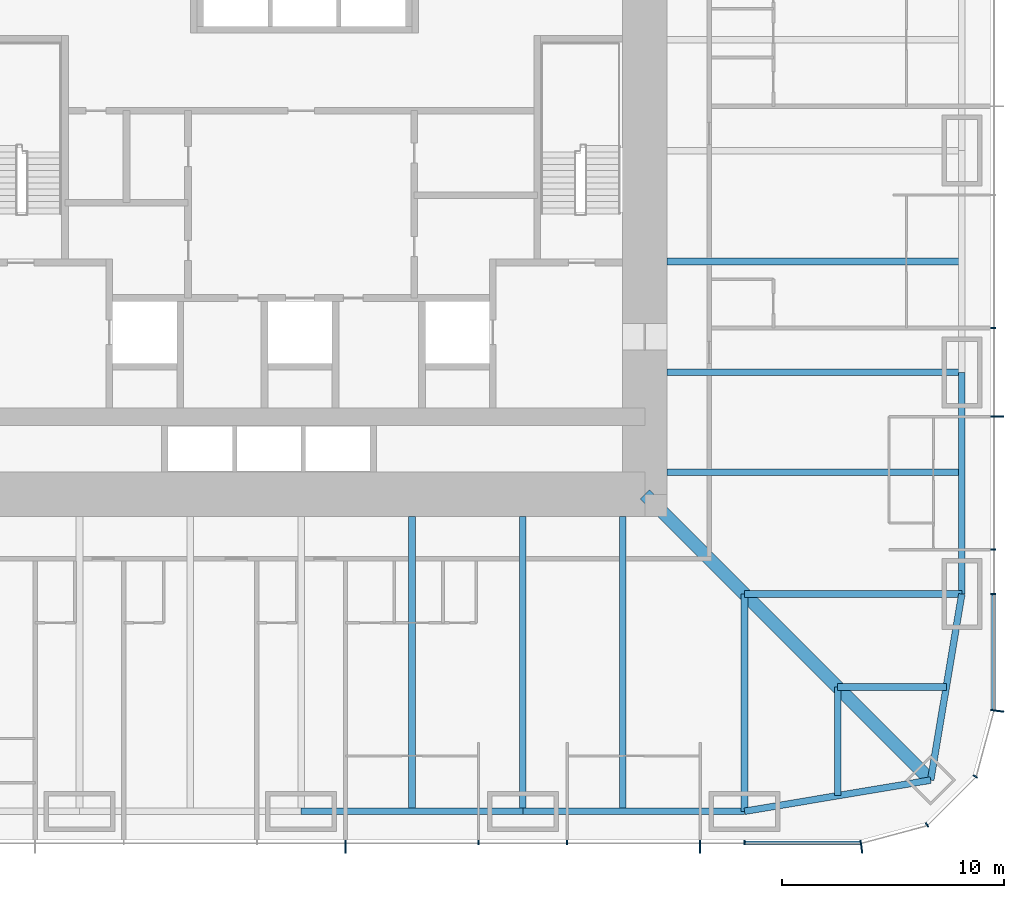
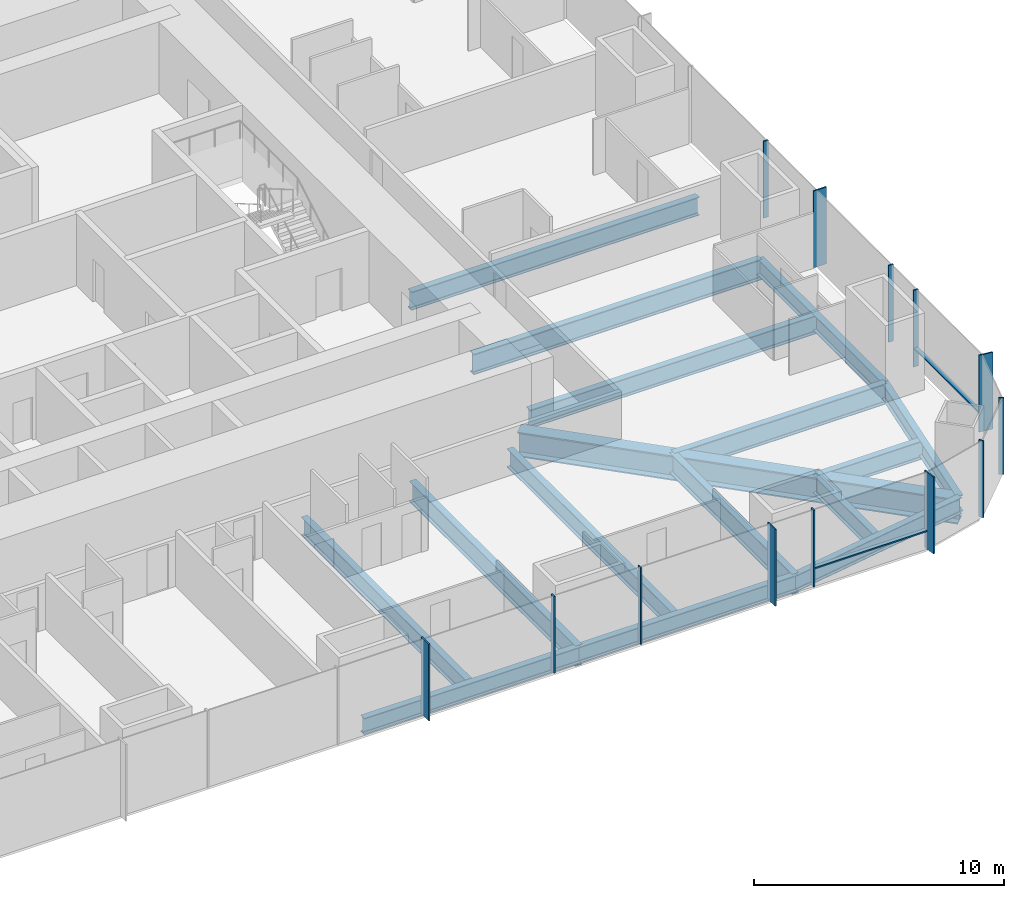
# One storey, part 4 of 17: 16 beams, 15 members, 3 elements without a shape of their own.
"""IFC4 building model written with IfcOpenShell, lengths in metres."""

from ifc_helpers import new_model, si_unit, direction, frame, origin, origin_2d, place, context, subcontext, project, spatial, rectangle, i_section, extrude, material, material_profile, profile_set, type_object, element, aggregate, save


model = new_model("IFC4")

# Units and contexts
model_context = context("Model", 3, precision=1e-05, world=origin(), true_north=direction((0.0, 1.0)))
body_context = subcontext(model_context, "Body", "Model", "MODEL_VIEW")
ifc_project = project(units=[si_unit("LENGTHUNIT", "METRE"), si_unit("AREAUNIT", "SQUARE_METRE"), si_unit("VOLUMEUNIT", "CUBIC_METRE"), si_unit("PLANEANGLEUNIT", "RADIAN"), si_unit("MASSUNIT", "GRAM", prefix="KILO")], contexts=[model_context])

# Site, building, storey
site_placement = place(None, origin())
site = spatial("IfcSite", under=ifc_project, at=site_placement, CompositionType="ELEMENT")
building_placement = place(site_placement, origin())
building = spatial("IfcBuilding", under=site, at=building_placement, Name="Khuree Lantern Residences", CompositionType="ELEMENT")
storey_placement = place(building_placement, frame((0.0, 0.0, 73.5)))
storey = spatial("IfcBuildingStorey", under=building, at=storey_placement, Name="L18", CompositionType="ELEMENT", Elevation=73.5)

# Beams
ifc_material_1 = material(Name="Steel S355", Category="steel")
ifc_material_profile_1 = material_profile(ifc_material_1, i_section(OverallWidth=0.300048828125, OverallDepth=0.889892578125, WebThickness=0.01611328125, FlangeThickness=0.030029296875, FilletRadius=0.030029296875, at=origin_2d()), Name="HE 900 A")
ifc_profile_set_1 = profile_set([ifc_material_profile_1], Name="Steel S355")
beam_type_1 = type_object("IfcBeamType", Name="B-14 SECONDARY BEAM HE 900 A", PredefinedType="BEAM", material=ifc_profile_set_1)
for number, where, z_axis, x_axis, name in (
    (1, (29.800048828125, -5.0, -0.695068359375), (-1.0, 0.0, 0.0), (0.0, -1.0, 0.0), "Secondary beam E4"),
    (2, (29.800048828125, -14.5, -0.695068359375), (-1.0, 0.0, 0.0), (0.0, -1.0, 0.0), "Secondary beam E5"),
):
    element("IfcBeam", number, at=place(storey_placement, frame(where, z_axis=z_axis, x_axis=x_axis)), inside=storey, type_object=beam_type_1, Name=name, PredefinedType="BEAM", context=body_context, shape_type="SweptSolid", body=[
        extrude(i_section(OverallWidth=0.300048828125, OverallDepth=0.889892578125, WebThickness=0.01611328125, FlangeThickness=0.030029296875, FilletRadius=0.030029296875, at=origin_2d()), origin(), (0.0, 0.0, 1.0), 13.300048828125),
    ])
for number, where, z_axis, x_axis, name in (
    (3, (29.09716796875, -24.197021484375, -0.695068359375), (-1.0, 0.0, 0.0), (0.0, -1.0, 0.0), "Secondary beam E6"),
    (4, (24.197021484375, -29.09716796875, -0.695068359375), (0.0, 1.0, 0.0), (-1.0, 0.0, 0.0), "Secondary beam S1"),
):
    element("IfcBeam", number, at=place(storey_placement, frame(where, z_axis=z_axis, x_axis=x_axis)), inside=storey, type_object=beam_type_1, Name=name, PredefinedType="BEAM", context=body_context, shape_type="SweptSolid", body=[
        extrude(i_section(OverallWidth=0.300048828125, OverallDepth=0.889892578125, WebThickness=0.01611328125, FlangeThickness=0.030029296875, FilletRadius=0.030029296875, at=origin_2d()), origin(), (0.0, 0.0, 1.0), 4.900146484375),
    ])
for number, where, z_axis, x_axis, name in (
    (5, (14.5, -29.800048828125, -0.695068359375), (0.0, 1.0, 0.0), (-1.0, 0.0, 0.0), "Secondary beam S2"),
    (6, (5.0, -29.800048828125, -0.695068359375), (0.0, 1.0, 0.0), (-1.0, 0.0, 0.0), "Secondary beam S3"),
):
    element("IfcBeam", number, at=place(storey_placement, frame(where, z_axis=z_axis, x_axis=x_axis)), inside=storey, type_object=beam_type_1, Name=name, PredefinedType="BEAM", context=body_context, shape_type="SweptSolid", body=[
        extrude(i_section(OverallWidth=0.300048828125, OverallDepth=0.889892578125, WebThickness=0.01611328125, FlangeThickness=0.030029296875, FilletRadius=0.030029296875, at=origin_2d()), origin(), (0.0, 0.0, 1.0), 13.300048828125),
    ])
ifc_material_profile_2 = material_profile(ifc_material_1, i_section(OverallWidth=0.300048828125, OverallDepth=0.7900390625, WebThickness=0.014892578125, FlangeThickness=0.028076171875, FilletRadius=0.030029296875, at=origin_2d()), Name="HE 800 A")
ifc_profile_set_2 = profile_set([ifc_material_profile_2], Name="Steel S355")
beam_type_2 = type_object("IfcBeamType", Name="E-14 SPANDREL BEAM HE 800 A", PredefinedType="SPANDREL", material=ifc_profile_set_2)
beam_1_placement = place(storey_placement, frame((29.800048828125, -10.0, -0.64501953125), z_axis=(0.0, -1.0, 0.0), x_axis=(1.0, 0.0, 0.0)))
element("IfcBeam", 7, at=beam_1_placement, inside=storey, type_object=beam_type_2, Name="Spandrel beam E5", PredefinedType="SPANDREL", context=body_context, shape_type="SweptSolid", body=[
    extrude(i_section(OverallWidth=0.300048828125, OverallDepth=0.7900390625, WebThickness=0.014892578125, FlangeThickness=0.028076171875, FilletRadius=0.030029296875, at=origin_2d()), origin(), (0.0, 0.0, 1.0), 10.0),
])
for number, where, z_axis, x_axis, name in (
    (8, (29.800048828125, -20.0, -0.64501953125), (-0.165199022349, -0.986260251158, 0.0), (0.986260251158, -0.165199022349, 0.0), "Spandrel beam E6"),
    (9, (28.39404296875, -28.39404296875, -0.64501953125), (-0.986260251158, -0.165199022349, 0.0), (0.165199022349, -0.986260251158, 0.0), "Spandrel beam S1"),
):
    element("IfcBeam", number, at=place(storey_placement, frame(where, z_axis=z_axis, x_axis=x_axis)), inside=storey, type_object=beam_type_2, Name=name, PredefinedType="SPANDREL", context=body_context, shape_type="SweptSolid", body=[
        extrude(i_section(OverallWidth=0.300048828125, OverallDepth=0.7900390625, WebThickness=0.014892578125, FlangeThickness=0.028076171875, FilletRadius=0.030029296875, at=origin_2d()), origin(), (0.0, 0.0, 1.0), 8.510986328125),
    ])
for number, where, z_axis, x_axis, name in (
    (10, (20.0, -29.800048828125, -0.64501953125), (-1.0, 0.0, 0.0), (0.0, -1.0, 0.0), "Spandrel beam S2"),
    (11, (10.0, -29.800048828125, -0.64501953125), (-1.0, 0.0, 0.0), (0.0, -1.0, 0.0), "Spandrel beam S3"),
):
    element("IfcBeam", number, at=place(storey_placement, frame(where, z_axis=z_axis, x_axis=x_axis)), inside=storey, type_object=beam_type_2, Name=name, PredefinedType="SPANDREL", context=body_context, shape_type="SweptSolid", body=[
        extrude(i_section(OverallWidth=0.300048828125, OverallDepth=0.7900390625, WebThickness=0.014892578125, FlangeThickness=0.028076171875, FilletRadius=0.030029296875, at=origin_2d()), origin(), (0.0, 0.0, 1.0), 10.0),
    ])

# Curtain wall, member
ifc_material_2 = material(Name="Bronze anodised aluminium", Category="aluminium")
curtain_wall_type_1 = type_object("IfcCurtainWallType", Name="CW-T2 TOWER CORNER CURTAIN WALL", PredefinedType="USERDEFINED", material=ifc_material_2)
curtain_wall_1_placement = place(storey_placement, origin())
curtain_wall_1 = element("IfcCurtainWall", 12, at=curtain_wall_1_placement, inside=storey, type_object=curtain_wall_type_1, Name="L18 SOUTH-EAST CORNER CURTAIN WALL", ObjectType="Faceted corner curtain wall", PredefinedType="USERDEFINED")
ifc_material_profile_3 = material_profile(ifc_material_2, rectangle(XDim=0.06494140625, YDim=0.60009765625, at=origin_2d()), Name="F1 65X600")
ifc_profile_set_3 = profile_set([ifc_material_profile_3], Name="Bronze anodised aluminium")
member_type_1 = type_object("IfcMemberType", Name="F1 BRONZE FIN MULLION TOWER 65X600", PredefinedType="MULLION", material=ifc_profile_set_3)
member_1_placement = place(storey_placement, frame((25.269775390625, -31.400146484375, 0.0), z_axis=(0.0, 0.0, 1.0), x_axis=(0.991444852794, 0.130526257387, 0.0)))
member_1 = element("IfcMember", 13, at=member_1_placement, type_object=member_type_1, Name="L18 SOUTH-EAST CORNER FIN MULLION 1", PredefinedType="MULLION", context=body_context, shape_type="SweptSolid", body=[
    extrude(rectangle(XDim=0.06494140625, YDim=0.60009765625, at=origin_2d()), origin(), (0.0, 0.0, 1.0), 3.75),
])

# Curtain wall, members
curtain_wall_type_2 = type_object("IfcCurtainWallType", Name="CW-T1 TOWER FACE CURTAIN WALL", PredefinedType="USERDEFINED", material=ifc_material_2)
curtain_wall_2_placement = place(storey_placement, origin())
curtain_wall_2 = element("IfcCurtainWall", 14, at=curtain_wall_2_placement, inside=storey, type_object=curtain_wall_type_2, Name="L18 EAST FACE CURTAIN WALL", ObjectType="Stick-built curtain wall", PredefinedType="USERDEFINED")
member_2_placement = place(storey_placement, frame((31.400146484375, -25.269775390625, 0.0), z_axis=(0.0, 0.0, 1.0), x_axis=(0.130526257387, 0.991444852794, 0.0)))
member_2 = element("IfcMember", 15, at=member_2_placement, type_object=member_type_1, Name="L18 EAST FACE FIN MULLION 4", PredefinedType="MULLION", context=body_context, shape_type="SweptSolid", body=[
    extrude(rectangle(XDim=0.06494140625, YDim=0.60009765625, at=origin_2d()), origin(), (0.0, 0.0, 1.0), 3.75),
])
member_3_placement = place(storey_placement, frame((31.39990234375, -12.0, 0.0), z_axis=(0.0, 0.0, 1.0), x_axis=(0.0, 1.0, 0.0)))
member_3 = element("IfcMember", 16, at=member_3_placement, type_object=member_type_1, Name="L18 EAST FACE FIN MULLION 7", PredefinedType="MULLION", context=body_context, shape_type="SweptSolid", body=[
    extrude(rectangle(XDim=0.06494140625, YDim=0.60009765625, at=origin_2d()), origin(), (0.0, 0.0, 1.0), 3.75),
])

curtain_wall_3_placement = place(storey_placement, origin())
curtain_wall_3 = element("IfcCurtainWall", 17, at=curtain_wall_3_placement, inside=storey, type_object=curtain_wall_type_2, Name="L18 SOUTH FACE CURTAIN WALL", ObjectType="Stick-built curtain wall", PredefinedType="USERDEFINED")
member_4_placement = place(storey_placement, frame((2.0, -31.39990234375, 0.0), z_axis=(0.0, 0.0, 1.0), x_axis=(1.0, 0.0, 0.0)))
member_4 = element("IfcMember", 18, at=member_4_placement, type_object=member_type_1, Name="L18 SOUTH FACE FIN MULLION 52", PredefinedType="MULLION", context=body_context, shape_type="SweptSolid", body=[
    extrude(rectangle(XDim=0.06494140625, YDim=0.60009765625, at=origin_2d()), origin(), (0.0, 0.0, 1.0), 3.75),
])
member_5_placement = place(storey_placement, frame((18.0, -31.39990234375, 0.0), z_axis=(0.0, 0.0, 1.0), x_axis=(1.0, 0.0, 0.0)))
member_5 = element("IfcMember", 19, at=member_5_placement, type_object=member_type_1, Name="L18 SOUTH FACE FIN MULLION 55", PredefinedType="MULLION", context=body_context, shape_type="SweptSolid", body=[
    extrude(rectangle(XDim=0.06494140625, YDim=0.60009765625, at=origin_2d()), origin(), (0.0, 0.0, 1.0), 3.75),
])

# Beams
ifc_material_profile_4 = material_profile(ifc_material_1, i_section(OverallWidth=0.302001953125, OverallDepth=1.008056640625, WebThickness=0.02099609375, FlangeThickness=0.0400390625, FilletRadius=0.030029296875, at=origin_2d()), Name="HE 1000 M")
ifc_profile_set_4 = profile_set([ifc_material_profile_4], Name="Steel S355")
beam_type_3 = type_object("IfcBeamType", Name="G-14 GIRDER HE 1000 M", PredefinedType="BEAM", material=ifc_profile_set_4)
beam_2_placement = place(storey_placement, frame((29.800048828125, -10.0, -0.75390625), z_axis=(-1.0, 0.0, 0.0), x_axis=(0.0, -1.0, 0.0)))
element("IfcBeam", 20, at=beam_2_placement, inside=storey, type_object=beam_type_3, Name="Girder E4", PredefinedType="BEAM", context=body_context, shape_type="SweptSolid", body=[
    extrude(i_section(OverallWidth=0.302001953125, OverallDepth=1.008056640625, WebThickness=0.02099609375, FlangeThickness=0.0400390625, FilletRadius=0.030029296875, at=origin_2d()), origin(), (0.0, 0.0, 1.0), 13.300048828125),
])
for number, where, z_axis, x_axis, name in (
    (21, (29.800048828125, -20.0, -0.75390625), (-1.0, 0.0, 0.0), (0.0, -1.0, 0.0), "Girder E5"),
    (22, (20.0, -29.800048828125, -0.75390625), (0.0, 1.0, 0.0), (-1.0, 0.0, 0.0), "Girder S1"),
):
    element("IfcBeam", number, at=place(storey_placement, frame(where, z_axis=z_axis, x_axis=x_axis)), inside=storey, type_object=beam_type_3, Name=name, PredefinedType="BEAM", context=body_context, shape_type="SweptSolid", body=[
        extrude(i_section(OverallWidth=0.302001953125, OverallDepth=1.008056640625, WebThickness=0.02099609375, FlangeThickness=0.0400390625, FilletRadius=0.030029296875, at=origin_2d()), origin(), (0.0, 0.0, 1.0), 9.800048828125),
    ])
beam_3_placement = place(storey_placement, frame((10.0, -29.800048828125, -0.75390625), z_axis=(0.0, 1.0, 0.0), x_axis=(-1.0, 0.0, 0.0)))
element("IfcBeam", 23, at=beam_3_placement, inside=storey, type_object=beam_type_3, Name="Girder S2", PredefinedType="BEAM", context=body_context, shape_type="SweptSolid", body=[
    extrude(i_section(OverallWidth=0.302001953125, OverallDepth=1.008056640625, WebThickness=0.02099609375, FlangeThickness=0.0400390625, FilletRadius=0.030029296875, at=origin_2d()), origin(), (0.0, 0.0, 1.0), 13.300048828125),
])
ifc_material_profile_5 = material_profile(ifc_material_1, i_section(OverallWidth=0.60009765625, OverallDepth=1.199951171875, WebThickness=0.030029296875, FlangeThickness=0.06005859375, at=origin_2d()), Name="WELDED I 1200X600X30X60")
ifc_profile_set_5 = profile_set([ifc_material_profile_5], Name="Steel S355")
beam_type_4 = type_object("IfcBeamType", Name="GD-14 CORNER GIRDER WELDED I 1200X600X30X60", PredefinedType="BEAM", material=ifc_profile_set_5)
beam_4_placement = place(storey_placement, frame((28.39404296875, -28.39404296875, -0.85009765625), z_axis=(-0.707106781187, 0.707106781187, 0.0), x_axis=(-0.707106781187, -0.707106781187, 0.0)))
element("IfcBeam", 24, at=beam_4_placement, inside=storey, type_object=beam_type_4, Name="Corner girder SE", PredefinedType="BEAM", context=body_context, shape_type="SweptSolid", body=[
    extrude(i_section(OverallWidth=0.60009765625, OverallDepth=1.199951171875, WebThickness=0.030029296875, FlangeThickness=0.06005859375, at=origin_2d()), origin(), (0.0, 0.0, 1.0), 18.23486328125),
])

# Member
ifc_material_profile_6 = material_profile(ifc_material_2, rectangle(XDim=0.06494140625, YDim=0.219970703125, at=origin_2d()), Name="M1 65X220")
ifc_profile_set_6 = profile_set([ifc_material_profile_6], Name="Bronze anodised aluminium")
member_type_2 = type_object("IfcMemberType", Name="M1 BRONZE MULLION TOWER 65X220", PredefinedType="MULLION", material=ifc_profile_set_6)
member_6_placement = place(storey_placement, frame((28.22998046875, -30.41162109375, 0.0), z_axis=(0.0, 0.0, 1.0), x_axis=(0.86602537092, 0.500000056923, 0.0)))
member_6 = element("IfcMember", 25, at=member_6_placement, type_object=member_type_2, Name="L18 SOUTH-EAST CORNER MULLION 2", PredefinedType="MULLION", context=body_context, shape_type="SweptSolid", body=[
    extrude(rectangle(XDim=0.06494140625, YDim=0.219970703125, at=origin_2d()), origin(), (0.0, 0.0, 1.0), 3.75),
])

member_7_placement = place(storey_placement, frame((30.41162109375, -28.22998046875, 0.0), z_axis=(0.0, 0.0, 1.0), x_axis=(0.500000056923, 0.86602537092, 0.0)))
member_7 = element("IfcMember", 26, at=member_7_placement, type_object=member_type_2, Name="L18 SOUTH-EAST CORNER MULLION 3", PredefinedType="MULLION", context=body_context, shape_type="SweptSolid", body=[
    extrude(rectangle(XDim=0.06494140625, YDim=0.219970703125, at=origin_2d()), origin(), (0.0, 0.0, 1.0), 3.75),
])

aggregate(curtain_wall_1, [member_1, member_6, member_7])

member_8_placement = place(storey_placement, frame((31.2099609375, -20.0, 0.0), z_axis=(0.0, 0.0, 1.0), x_axis=(0.0, 1.0, 0.0)))
member_8 = element("IfcMember", 27, at=member_8_placement, type_object=member_type_2, Name="L18 EAST FACE MULLION 5", PredefinedType="MULLION", context=body_context, shape_type="SweptSolid", body=[
    extrude(rectangle(XDim=0.06494140625, YDim=0.219970703125, at=origin_2d()), origin(), (0.0, 0.0, 1.0), 3.75),
])

member_9_placement = place(storey_placement, frame((31.2099609375, -18.0, 0.0), z_axis=(0.0, 0.0, 1.0), x_axis=(0.0, 1.0, 0.0)))
member_9 = element("IfcMember", 28, at=member_9_placement, type_object=member_type_2, Name="L18 EAST FACE MULLION 6", PredefinedType="MULLION", context=body_context, shape_type="SweptSolid", body=[
    extrude(rectangle(XDim=0.06494140625, YDim=0.219970703125, at=origin_2d()), origin(), (0.0, 0.0, 1.0), 3.75),
])

member_10_placement = place(storey_placement, frame((31.2099609375, -8.0, 0.0), z_axis=(0.0, 0.0, 1.0), x_axis=(0.0, 1.0, 0.0)))
member_10 = element("IfcMember", 29, at=member_10_placement, type_object=member_type_2, Name="L18 EAST FACE MULLION 8", PredefinedType="MULLION", context=body_context, shape_type="SweptSolid", body=[
    extrude(rectangle(XDim=0.06494140625, YDim=0.219970703125, at=origin_2d()), origin(), (0.0, 0.0, 1.0), 3.75),
])

member_11_placement = place(storey_placement, frame((8.0, -31.2099609375, 0.0), z_axis=(0.0, 0.0, 1.0), x_axis=(1.0, 0.0, 0.0)))
member_11 = element("IfcMember", 30, at=member_11_placement, type_object=member_type_2, Name="L18 SOUTH FACE MULLION 53", PredefinedType="MULLION", context=body_context, shape_type="SweptSolid", body=[
    extrude(rectangle(XDim=0.06494140625, YDim=0.219970703125, at=origin_2d()), origin(), (0.0, 0.0, 1.0), 3.75),
])

member_12_placement = place(storey_placement, frame((12.0, -31.2099609375, 0.0), z_axis=(0.0, 0.0, 1.0), x_axis=(1.0, 0.0, 0.0)))
member_12 = element("IfcMember", 31, at=member_12_placement, type_object=member_type_2, Name="L18 SOUTH FACE MULLION 54", PredefinedType="MULLION", context=body_context, shape_type="SweptSolid", body=[
    extrude(rectangle(XDim=0.06494140625, YDim=0.219970703125, at=origin_2d()), origin(), (0.0, 0.0, 1.0), 3.75),
])

member_13_placement = place(storey_placement, frame((20.0, -31.2099609375, 0.0), z_axis=(0.0, 0.0, 1.0), x_axis=(1.0, 0.0, 0.0)))
member_13 = element("IfcMember", 32, at=member_13_placement, type_object=member_type_2, Name="L18 SOUTH FACE MULLION 56", PredefinedType="MULLION", context=body_context, shape_type="SweptSolid", body=[
    extrude(rectangle(XDim=0.06494140625, YDim=0.219970703125, at=origin_2d()), origin(), (0.0, 0.0, 1.0), 3.75),
])

ifc_material_profile_7 = material_profile(ifc_material_2, rectangle(XDim=0.179931640625, YDim=0.06494140625, at=origin_2d()), Name="T1 180X65")
ifc_profile_set_7 = profile_set([ifc_material_profile_7], Name="Bronze anodised aluminium")
member_type_3 = type_object("IfcMemberType", Name="TRANSOM T1 TOWER 180X65", PredefinedType="USERDEFINED", material=ifc_profile_set_7)
member_14_placement = place(storey_placement, frame((31.219970703125, -25.201416015625, 0.89990234375), z_axis=(0.0, 1.0, 0.0), x_axis=(-1.0, 0.0, 0.0)))
member_14 = element("IfcMember", 33, at=member_14_placement, type_object=member_type_3, Name="L18 EAST FACE TRANSOM 4.1", ObjectType="Transom", PredefinedType="USERDEFINED", context=body_context, shape_type="SweptSolid", body=[
    extrude(rectangle(XDim=0.179931640625, YDim=0.06494140625, at=origin_2d()), origin(), (0.0, 0.0, 1.0), 5.1689453125),
])

aggregate(curtain_wall_2, [member_2, member_8, member_9, member_3, member_10, member_14])

member_15_placement = place(storey_placement, frame((20.032470703125, -31.219970703125, 0.89990234375), z_axis=(1.0, 0.0, 0.0), x_axis=(0.0, 1.0, 0.0)))
member_15 = element("IfcMember", 34, at=member_15_placement, type_object=member_type_3, Name="L18 SOUTH FACE TRANSOM 56.1", ObjectType="Transom", PredefinedType="USERDEFINED", context=body_context, shape_type="SweptSolid", body=[
    extrude(rectangle(XDim=0.179931640625, YDim=0.06494140625, at=origin_2d()), origin(), (0.0, 0.0, 1.0), 5.1689453125),
])

aggregate(curtain_wall_3, [member_4, member_11, member_12, member_5, member_13, member_15])

save(model, "model.ifc")
